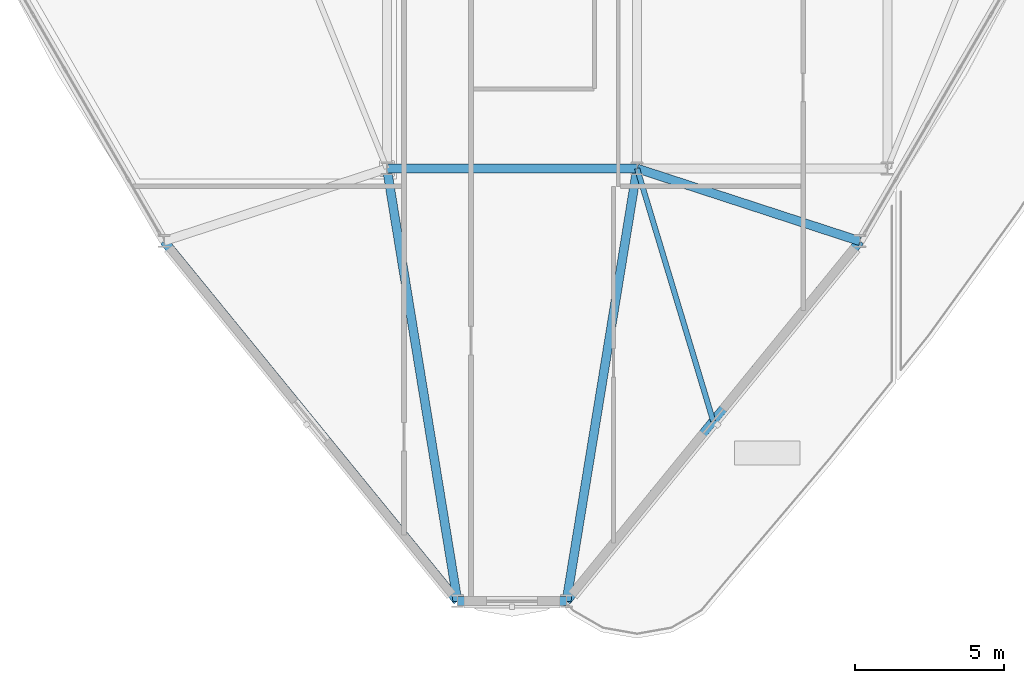
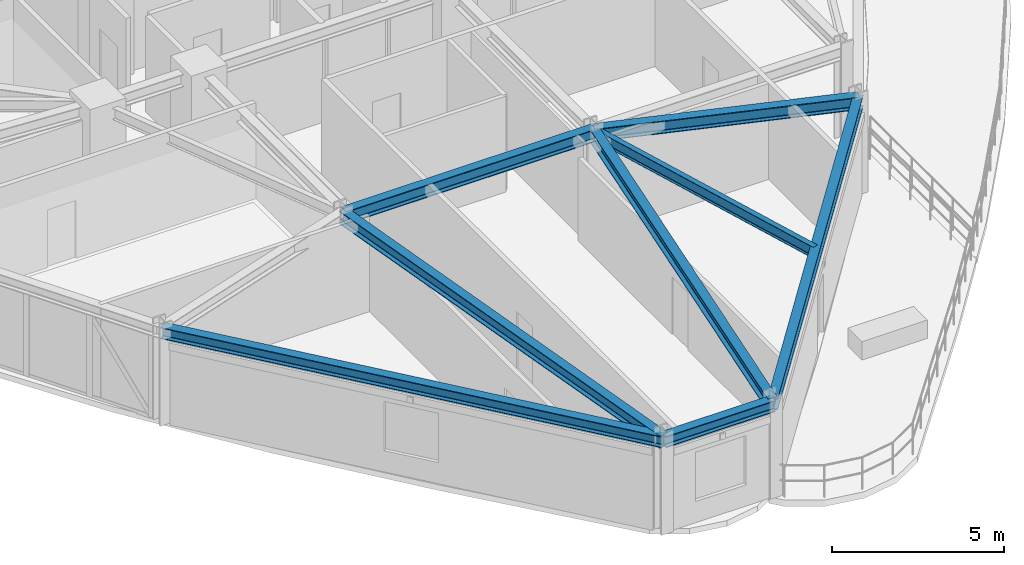
# One storey, part 3 of 18: 8 beams.
"""IFC4 building model written with IfcOpenShell, lengths in metres."""

from ifc_helpers import new_model, si_unit, derived_unit, direction, frame, origin, origin_2d, place, context, subcontext, project, spatial, i_section, extrude, source, transform, mapped, material, material_profile, profile_set, type_object, element, save


model = new_model("IFC4")

# Units and contexts
model_context = context("Model", 3, precision=1e-05, world=origin(), true_north=direction((0.0, 1.0)))
body_context = subcontext(model_context, "Body", "Model", "MODEL_VIEW")
ifc_project = project(units=[si_unit("LENGTHUNIT", "METRE"), si_unit("AREAUNIT", "SQUARE_METRE"), si_unit("VOLUMEUNIT", "CUBIC_METRE"), si_unit("PLANEANGLEUNIT", "RADIAN"), si_unit("MASSUNIT", "GRAM", prefix="KILO"), derived_unit("THERMALTRANSMITTANCEUNIT", [(si_unit("POWERUNIT", "WATT"), 1), (si_unit("LENGTHUNIT", "METRE"), -2), (si_unit("THERMODYNAMICTEMPERATUREUNIT", "KELVIN"), -1)])], contexts=[model_context])

# Site, building, storey
site_placement = place(None, origin())
site = spatial("IfcSite", under=ifc_project, at=site_placement, CompositionType="ELEMENT")
building_placement = place(site_placement, origin())
building = spatial("IfcBuilding", under=site, at=building_placement, Name="Korsvarv Bourse and Concert Hall", CompositionType="ELEMENT")
storey_placement = place(building_placement, frame((0.0, 0.0, 136.199951171875)))
storey = spatial("IfcBuildingStorey", under=building, at=storey_placement, Name="L34", CompositionType="ELEMENT", Elevation=136.199951171875)

# Beams
ifc_material = material(Name="Steel S355", Category="steel")
ifc_material_profile_1 = material_profile(ifc_material, i_section(OverallWidth=0.300048828125, OverallDepth=0.449951171875, WebThickness=0.013916015625, FlangeThickness=0.02587890625, FilletRadius=0.02099609375, at=origin_2d()), Name="HEB 450")
ifc_profile_set_1 = profile_set([ifc_material_profile_1], Name="Steel S355")
beam_type_1 = type_object("IfcBeamType", Name="BM-HEB450", PredefinedType="SPANDREL", material=ifc_profile_set_1)
shared_shape_1 = source(origin(), body_context, "Body", "SweptSolid", [
    extrude(i_section(OverallWidth=0.300048828125, OverallDepth=0.449951171875, WebThickness=0.013916015625, FlangeThickness=0.02587890625, FilletRadius=0.02099609375, at=origin_2d()), origin(), (0.0, 0.0, 1.0), 8.39990234375),
])
beam_1_placement = place(storey_placement, frame((27.60009765625, 24.0, 3.175048828125), z_axis=(1.0, 0.0, 0.0), x_axis=(0.0, 1.0, 0.0)))
element("IfcBeam", 1, at=beam_1_placement, inside=storey, type_object=beam_type_1, Name="L34 beam B-08", PredefinedType="SPANDREL", context=body_context, shape_type="MappedRepresentation", body=[
    mapped(shared_shape_1, transform((0.0, 0.0, 0.0), scale=1.0)),
])
ifc_material_profile_2 = material_profile(ifc_material, i_section(OverallWidth=0.300048828125, OverallDepth=0.39990234375, WebThickness=0.013427734375, FlangeThickness=0.02392578125, FilletRadius=0.02099609375, at=origin_2d()), Name="HEB 400")
ifc_profile_set_2 = profile_set([ifc_material_profile_2], Name="Steel S355")
beam_type_2 = type_object("IfcBeamType", Name="BM-HEB400", PredefinedType="SPANDREL", material=ifc_profile_set_2)
shared_shape_2 = source(origin(), body_context, "Body", "SweptSolid", [
    extrude(i_section(OverallWidth=0.300048828125, OverallDepth=0.39990234375, WebThickness=0.013427734375, FlangeThickness=0.02392578125, FilletRadius=0.02099609375, at=origin_2d()), origin(), (0.0, 0.0, 1.0), 3.659423828125),
])
beam_2_placement = place(storey_placement, frame((29.97021484375, 9.47509765625, 3.199951171875), z_axis=(1.0, 0.0, 0.0), x_axis=(0.0, 1.0, 0.0)))
element("IfcBeam", 2, at=beam_2_placement, inside=storey, type_object=beam_type_2, Name="L34 beam B-09", PredefinedType="SPANDREL", context=body_context, shape_type="MappedRepresentation", body=[
    mapped(shared_shape_2, transform((0.0, 0.0, 0.0), scale=1.0)),
])
shared_shape_3 = source(origin(), body_context, "Body", "SweptSolid", [
    extrude(i_section(OverallWidth=0.300048828125, OverallDepth=0.39990234375, WebThickness=0.013427734375, FlangeThickness=0.02392578125, FilletRadius=0.02099609375, at=origin_2d()), origin(), (0.0, 0.0, 1.0), 15.5927734375),
])
beam_3_placement = place(storey_placement, frame((33.629638671875, 9.47509765625, 3.199951171875), z_axis=(0.63188029376, 0.77506599355, 0.0), x_axis=(-0.77506599355, 0.63188029376, 0.0)))
element("IfcBeam", 3, at=beam_3_placement, inside=storey, type_object=beam_type_2, Name="L34 beam B-09", PredefinedType="SPANDREL", context=body_context, shape_type="MappedRepresentation", body=[
    mapped(shared_shape_3, transform((0.0, 0.0, 0.0), scale=1.0)),
])
shared_shape_4 = source(origin(), body_context, "Body", "SweptSolid", [
    extrude(i_section(OverallWidth=0.300048828125, OverallDepth=0.39990234375, WebThickness=0.013427734375, FlangeThickness=0.02392578125, FilletRadius=0.02099609375, at=origin_2d()), origin(), (0.0, 0.0, 1.0), 15.592529296875),
])
beam_4_placement = place(storey_placement, frame((20.11767578125, 21.560546875, 3.199951171875), z_axis=(0.631870887873, -0.775073661698, 0.0), x_axis=(0.775073661698, 0.631870887873, 0.0)))
element("IfcBeam", 4, at=beam_4_placement, inside=storey, type_object=beam_type_2, Name="L34 beam B-09", PredefinedType="SPANDREL", context=body_context, shape_type="MappedRepresentation", body=[
    mapped(shared_shape_4, transform((0.0, 0.0, 0.0), scale=1.0)),
])
shared_shape_5 = source(origin(), body_context, "Body", "SweptSolid", [
    extrude(i_section(OverallWidth=0.300048828125, OverallDepth=0.449951171875, WebThickness=0.013916015625, FlangeThickness=0.02587890625, FilletRadius=0.02099609375, at=origin_2d()), origin(), (0.0, 0.0, 1.0), 7.8701171875),
])
beam_5_placement = place(storey_placement, frame((43.482421875, 21.560546875, 3.175048828125), z_axis=(-0.950747329808, 0.309966957695, 0.0), x_axis=(-0.309966957695, -0.950747329808, 0.0)))
element("IfcBeam", 5, at=beam_5_placement, inside=storey, type_object=beam_type_1, Name="L34 beam B-08", PredefinedType="SPANDREL", context=body_context, shape_type="MappedRepresentation", body=[
    mapped(shared_shape_5, transform((0.0, 0.0, 0.0), scale=1.0)),
])
shared_shape_6 = source(origin(), body_context, "Body", "SweptSolid", [
    extrude(i_section(OverallWidth=0.300048828125, OverallDepth=0.449951171875, WebThickness=0.013916015625, FlangeThickness=0.02587890625, FilletRadius=0.02099609375, at=origin_2d()), origin(), (0.0, 0.0, 1.0), 14.717041015625),
])
for number, where, z_axis, x_axis, name in (
    (6, (29.97021484375, 9.47509765625, 3.175048828125), (-0.161046160341, 0.986946875085, 0.0), (-0.986946875085, -0.161046160341, 0.0), "L34 beam B-08"),
    (7, (33.629638671875, 9.47509765625, 3.175048828125), (0.161062319041, 0.986944238235, 0.0), (-0.986944238235, 0.161062319041, 0.0), "L34 beam B-08"),
):
    element("IfcBeam", number, at=place(storey_placement, frame(where, z_axis=z_axis, x_axis=x_axis)), inside=storey, type_object=beam_type_1, Name=name, PredefinedType="SPANDREL", context=body_context, shape_type="MappedRepresentation", body=[
        mapped(shared_shape_6, transform((0.0, 0.0, 0.0), scale=1.0)),
    ])
ifc_material_profile_3 = material_profile(ifc_material, i_section(OverallWidth=0.179931640625, OverallDepth=0.39990234375, WebThickness=0.008544921875, FlangeThickness=0.013427734375, FilletRadius=0.02099609375, at=origin_2d()), Name="IPE 400")
ifc_profile_set_3 = profile_set([ifc_material_profile_3], Name="Steel S355")
beam_type_3 = type_object("IfcBeamType", Name="BM-IPE400", PredefinedType="JOIST", material=ifc_profile_set_3)
shared_shape_7 = source(origin(), body_context, "Body", "SweptSolid", [
    extrude(i_section(OverallWidth=0.179931640625, OverallDepth=0.39990234375, WebThickness=0.008544921875, FlangeThickness=0.013427734375, FilletRadius=0.02099609375, at=origin_2d()), origin(), (0.0, 0.0, 1.0), 8.859130859375),
])
beam_6_placement = place(storey_placement, frame((38.555908203125, 15.517578125, 3.199951171875), z_axis=(-0.288505620925, 0.957478201681, 0.0), x_axis=(-0.957478201681, -0.288505620925, 0.0)))
element("IfcBeam", 8, at=beam_6_placement, inside=storey, type_object=beam_type_3, Name="L34 beam J-05", PredefinedType="JOIST", context=body_context, shape_type="MappedRepresentation", body=[
    mapped(shared_shape_7, transform((0.0, 0.0, 0.0), scale=1.0)),
])

save(model, "model.ifc")
